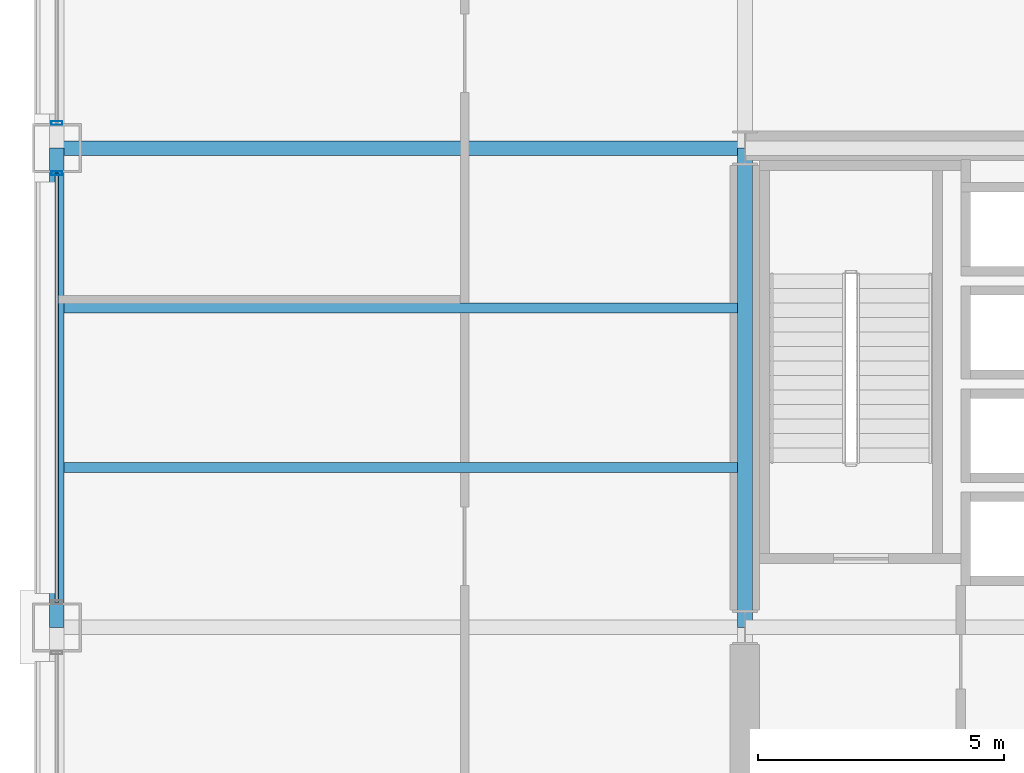
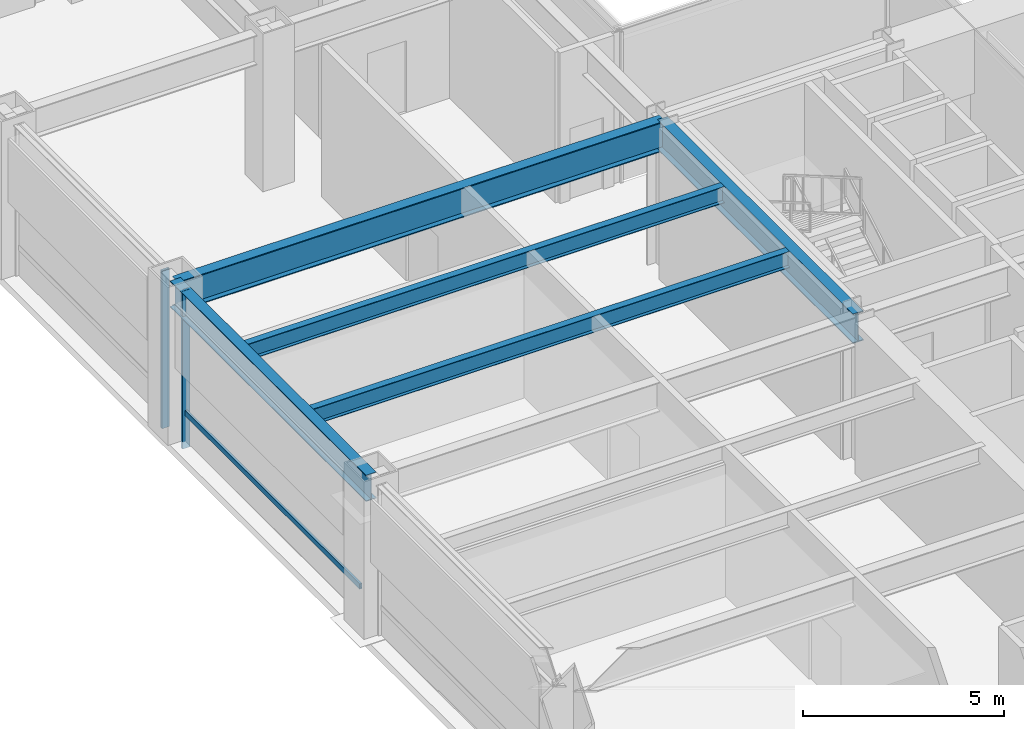
# One storey, part 15 of 42: 5 beams, 3 members, 2 elements without a shape of their own.
"""IFC4 building model written with IfcOpenShell, lengths in metres."""

from ifc_helpers import new_model, si_unit, direction, frame, origin, origin_2d, place, context, subcontext, project, spatial, hollow_rectangle, i_section, extrude, material, layer, layer_set, material_profile, profile_set, type_object, element, aggregate, save


model = new_model("IFC4")

# Units and contexts
model_context = context("Model", 3, precision=1e-05, world=origin(), true_north=direction((0.0, 1.0)))
body_context = subcontext(model_context, "Body", "Model", "MODEL_VIEW")
ifc_project = project(units=[si_unit("LENGTHUNIT", "METRE"), si_unit("AREAUNIT", "SQUARE_METRE"), si_unit("VOLUMEUNIT", "CUBIC_METRE"), si_unit("PLANEANGLEUNIT", "RADIAN"), si_unit("MASSUNIT", "GRAM", prefix="KILO")], contexts=[model_context])

# Site, building, storey
site_placement = place(None, origin())
site = spatial("IfcSite", under=ifc_project, at=site_placement, CompositionType="ELEMENT")
building_placement = place(site_placement, origin())
building = spatial("IfcBuilding", under=site, at=building_placement, Name="Brelmoor Portico Tower", CompositionType="ELEMENT")
storey_placement = place(building_placement, frame((0.0, 0.0, 9.60009765625)))
storey = spatial("IfcBuildingStorey", under=building, at=storey_placement, Name="L02", CompositionType="ELEMENT", Elevation=9.60009765625)

# Beams
ifc_material_1 = material(Name="Steel Q355B", Category="steel")
ifc_material_profile_1 = material_profile(ifc_material_1, i_section(OverallWidth=0.199951171875, OverallDepth=0.5, WebThickness=0.010009765625, FlangeThickness=0.01611328125, at=origin_2d()), Name="HN 500x200x10x16")
ifc_profile_set_1 = profile_set([ifc_material_profile_1], Name="Steel Q355B")
beam_type_1 = type_object("IfcBeamType", Name="BM-JS-500", PredefinedType="JOIST", material=ifc_profile_set_1)
for number, where, z_axis, x_axis, name in (
    (1, (-28.39990234375, 3.25, 4.329833984375), (1.0, 0.0, 0.0), (0.0, 1.0, 0.0), "L02 Secondary Wing Joist JS-W03"),
    (2, (-28.39990234375, 6.5, 4.329833984375), (1.0, 0.0, 0.0), (0.0, 1.0, 0.0), "L02 Secondary Wing Joist JS-W04"),
):
    element("IfcBeam", number, at=place(storey_placement, frame(where, z_axis=z_axis, x_axis=x_axis)), inside=storey, type_object=beam_type_1, Name=name, PredefinedType="JOIST", context=body_context, shape_type="SweptSolid", body=[
        extrude(i_section(OverallWidth=0.199951171875, OverallDepth=0.5, WebThickness=0.010009765625, FlangeThickness=0.01611328125, at=origin_2d()), origin(), (0.0, 0.0, 1.0), 13.699951171875),
    ])
ifc_material_profile_2 = material_profile(ifc_material_1, i_section(OverallWidth=0.300048828125, OverallDepth=0.89990234375, WebThickness=0.01611328125, FlangeThickness=0.028076171875, at=origin_2d()), Name="HN 900x300x16x28")
ifc_profile_set_2 = profile_set([ifc_material_profile_2], Name="Steel Q355B")
beam_type_2 = type_object("IfcBeamType", Name="BM-PG-900", PredefinedType="BEAM", material=ifc_profile_set_2)
beam_1_placement = place(storey_placement, frame((-14.550048828125, 0.0, 4.1298828125), z_axis=(0.0, 1.0, 0.0), x_axis=(-1.0, 0.0, 0.0)))
element("IfcBeam", 3, at=beam_1_placement, inside=storey, type_object=beam_type_2, Name="L02 Primary Floor Girder PG-07", PredefinedType="BEAM", context=body_context, shape_type="SweptSolid", body=[
    extrude(i_section(OverallWidth=0.300048828125, OverallDepth=0.89990234375, WebThickness=0.01611328125, FlangeThickness=0.028076171875, at=origin_2d()), origin(), (0.0, 0.0, 1.0), 9.75),
])
beam_2_placement = place(storey_placement, frame((-28.550048828125, 9.75, 4.1298828125), z_axis=(1.0, 0.0, 0.0), x_axis=(0.0, 1.0, 0.0)))
element("IfcBeam", 4, at=beam_2_placement, inside=storey, type_object=beam_type_2, Name="L02 Primary Floor Girder PG-35", PredefinedType="BEAM", context=body_context, shape_type="SweptSolid", body=[
    extrude(i_section(OverallWidth=0.300048828125, OverallDepth=0.89990234375, WebThickness=0.01611328125, FlangeThickness=0.028076171875, at=origin_2d()), origin(), (0.0, 0.0, 1.0), 14.0),
])
ifc_material_profile_3 = material_profile(ifc_material_1, i_section(OverallWidth=0.300048828125, OverallDepth=0.800048828125, WebThickness=0.013916015625, FlangeThickness=0.02587890625, at=origin_2d()), Name="HN 800x300x14x26")
ifc_profile_set_3 = profile_set([ifc_material_profile_3], Name="Steel Q355B")
beam_type_3 = type_object("IfcBeamType", Name="BM-SP-800", PredefinedType="SPANDREL", material=ifc_profile_set_3)
beam_3_placement = place(storey_placement, frame((-28.550048828125, 0.0, 4.179931640625), z_axis=(0.0, 1.0, 0.0), x_axis=(-1.0, 0.0, 0.0)))
element("IfcBeam", 5, at=beam_3_placement, inside=storey, type_object=beam_type_3, Name="L02 Perimeter Spandrel Beam SP-12", PredefinedType="SPANDREL", context=body_context, shape_type="SweptSolid", body=[
    extrude(i_section(OverallWidth=0.300048828125, OverallDepth=0.800048828125, WebThickness=0.013916015625, FlangeThickness=0.02587890625, at=origin_2d()), origin(), (0.0, 0.0, 1.0), 9.75),
])

# Curtain wall, member
ifc_material_2 = material(Name="Anodised Aluminium Alloy 6063-T6", Category="aluminium")
ifc_layer = layer(ifc_material_2, 0.179931640625)
ifc_layer_set = layer_set([ifc_layer], Name="Anodised Aluminium Alloy 6063-T6")
curtain_wall_type = type_object("IfcCurtainWallType", Name="CW-PODIUM-ARCH", PredefinedType="NOTDEFINED", material=ifc_layer_set)
curtain_wall_1_placement = place(storey_placement, origin())
curtain_wall_1 = element("IfcCurtainWall", 6, at=curtain_wall_1_placement, inside=storey, type_object=curtain_wall_type, Name="L02 Curtain Wall CW-L02-05-4", PredefinedType="NOTDEFINED")
ifc_material_profile_4 = material_profile(ifc_material_2, hollow_rectangle(XDim=0.074951171875, YDim=0.219970703125, WallThickness=0.0048828125, at=origin_2d()), Name="ALU MULLION 75x220")
ifc_profile_set_4 = profile_set([ifc_material_profile_4], Name="Anodised Aluminium Alloy 6063-T6")
member_type_1 = type_object("IfcMemberType", Name="MB-CW-MULL-220", PredefinedType="MULLION", material=ifc_profile_set_4)
member_1_placement = place(storey_placement, frame((-28.550048828125, 9.239990234375, -0.22021484375), z_axis=(0.0, 0.0, 1.0), x_axis=(0.0, 1.0, 0.0)))
member_1 = element("IfcMember", 7, at=member_1_placement, type_object=member_type_1, Name="CW-L02-05-4 Mullion 01", PredefinedType="MULLION", context=body_context, shape_type="SweptSolid", body=[
    extrude(hollow_rectangle(XDim=0.074951171875, YDim=0.219970703125, WallThickness=0.0048828125, at=origin_2d()), origin(), (0.0, 0.0, 1.0), 4.800048828125),
])

curtain_wall_2_placement = place(storey_placement, origin())
curtain_wall_2 = element("IfcCurtainWall", 8, at=curtain_wall_2_placement, inside=storey, type_object=curtain_wall_type, Name="L02 Curtain Wall CW-L02-05-5", PredefinedType="NOTDEFINED")
member_2_placement = place(storey_placement, frame((-28.550048828125, 10.260009765625, -0.22021484375), z_axis=(0.0, 0.0, 1.0), x_axis=(0.0, 1.0, 0.0)))
member_2 = element("IfcMember", 9, at=member_2_placement, type_object=member_type_1, Name="CW-L02-05-5 Mullion 00", PredefinedType="MULLION", context=body_context, shape_type="SweptSolid", body=[
    extrude(hollow_rectangle(XDim=0.074951171875, YDim=0.219970703125, WallThickness=0.0048828125, at=origin_2d()), origin(), (0.0, 0.0, 1.0), 4.800048828125),
])
aggregate(curtain_wall_2, [member_2])

# Member
ifc_material_profile_5 = material_profile(ifc_material_2, hollow_rectangle(XDim=0.070068359375, YDim=0.159912109375, WallThickness=0.00390625, at=origin_2d()), Name="ALU TRANSOM 70x160")
ifc_profile_set_5 = profile_set([ifc_material_profile_5], Name="Anodised Aluminium Alloy 6063-T6")
member_type_2 = type_object("IfcMemberType", Name="MB-CW-TRAN-160", PredefinedType="USERDEFINED", material=ifc_profile_set_5)
member_3_placement = place(storey_placement, frame((-28.550048828125, 0.510009765625, 0.849853515625), z_axis=(0.0, 1.0, 0.0), x_axis=(-1.0, 0.0, 0.0)))
member_3 = element("IfcMember", 10, at=member_3_placement, type_object=member_type_2, Name="CW-L02-05-4 Transom 1-00", ObjectType="TRANSOM", PredefinedType="USERDEFINED", context=body_context, shape_type="SweptSolid", body=[
    extrude(hollow_rectangle(XDim=0.070068359375, YDim=0.159912109375, WallThickness=0.00390625, at=origin_2d()), origin(), (0.0, 0.0, 1.0), 8.72998046875),
])

aggregate(curtain_wall_1, [member_1, member_3])

save(model, "model.ifc")
